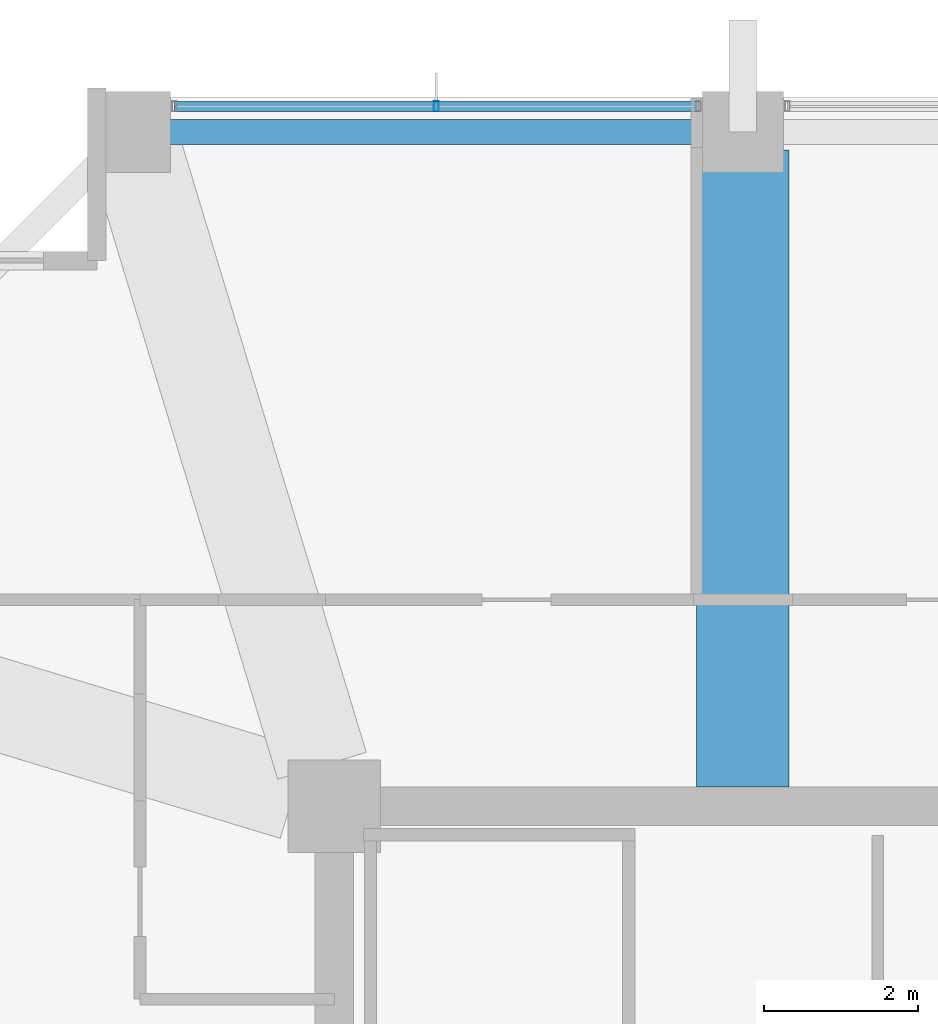
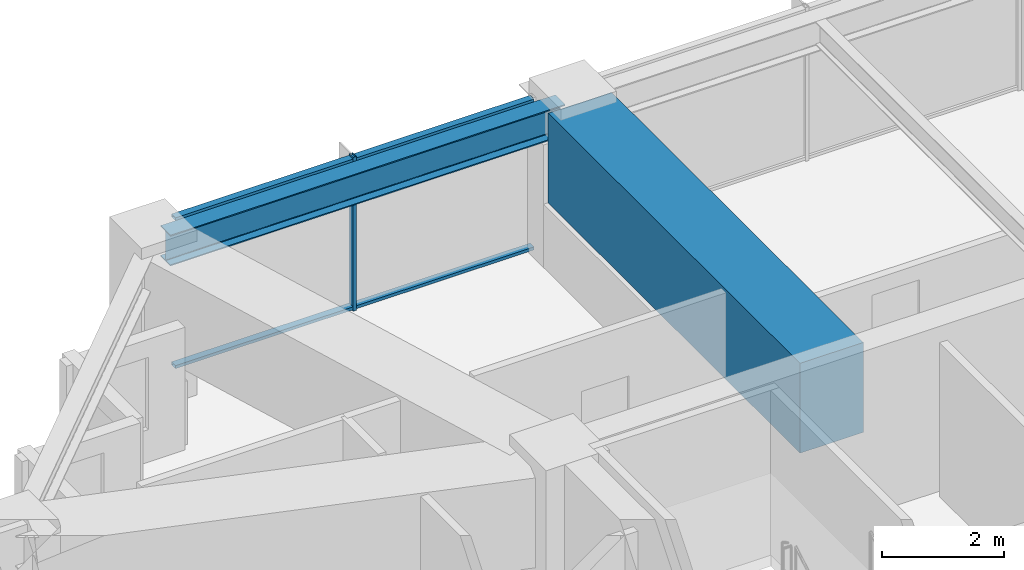
# One storey, part 21 of 36: 3 members, 2 beams, 1 element without a shape of its own.
"""IFC4 building model written with IfcOpenShell, lengths in metres."""

import ifcopenshell
import ifcopenshell.guid

model = None  # the IFC model being written
_history = None  # IfcOwnerHistory: only IFC2X3 demands one
_inside = {}  # id of a spatial element -> (the spatial element, [elements in it])
_under = {}  # id of a project, library or spatial element -> (it, [spatial elements below it])
_declared = {}  # id of a project -> (the project, [libraries it declares])
_typed = {}  # id of a type object -> (the type object, [elements of that type])
_made_of = {}  # id of a material, layer set ... -> (it, [elements and type objects made of it])


def new_model(schema):
    """Start an empty IFC model of exactly this schema.

    Asked for "IFC4X3", IfcOpenShell would pick the latest addendum, in which some entities
    have other attributes; the version numbers below select the first issue.
    IFC2X3 requires an IfcOwnerHistory on every rooted entity: one is made here for all.
    """
    global model, _history
    if schema == "IFC4X3":
        model = ifcopenshell.file(schema_version=(4, 3, 0, 0))
    else:
        model = ifcopenshell.file(schema=schema)
    _inside.clear()
    _under.clear()
    _declared.clear()
    _typed.clear()
    _made_of.clear()
    _history = None
    if model.schema == "IFC2X3":
        org = make("IfcOrganization", Name="unknown")
        user = make(
            "IfcPersonAndOrganization",
            ThePerson=make("IfcPerson", FamilyName="unknown"),
            TheOrganization=org,
        )
        app = make(
            "IfcApplication",
            ApplicationDeveloper=org,
            Version="unknown",
            ApplicationFullName="unknown",
            ApplicationIdentifier="unknown",
        )
        _history = make(
            "IfcOwnerHistory",
            OwningUser=user,
            OwningApplication=app,
            ChangeAction="ADDED",
            CreationDate=0,
        )
    return model


def make(cls, **values):
    """One entity of the class cls with the attributes given. An attribute that is None is left unset."""
    return model.create_entity(
        cls, **{name: value for name, value in values.items() if value is not None}
    )


def rooted(cls, **values):
    """An entity with a GlobalId (a new one), such as an element, a storey or a relation."""
    return make(cls, GlobalId=ifcopenshell.guid.new(), OwnerHistory=_history, **values)


def si_unit(unit_type, name, prefix=None):
    """IfcSIUnit, for example si_unit("LENGTHUNIT", "METRE", prefix="MILLI")."""
    return make("IfcSIUnit", UnitType=unit_type, Prefix=prefix, Name=name)


def assignment(units):
    """IfcUnitAssignment: the units of a project."""
    return None if units is None else make("IfcUnitAssignment", Units=units)


def point(xyz):
    """IfcCartesianPoint."""
    return None if xyz is None else make("IfcCartesianPoint", Coordinates=xyz)


def direction(xyz):
    """IfcDirection."""
    return None if xyz is None else make("IfcDirection", DirectionRatios=xyz)


def frame(location, z_axis=None, x_axis=None):
    """IfcAxis2Placement3D, a coordinate frame: its origin and axes. An axis left out is left unset."""
    return make(
        "IfcAxis2Placement3D",
        Location=point(location),
        Axis=direction(z_axis),
        RefDirection=direction(x_axis),
    )


def frame_2d(location, x_axis=None):
    """IfcAxis2Placement2D, a coordinate frame in the plane: its origin and x axis."""
    return make(
        "IfcAxis2Placement2D", Location=point(location), RefDirection=direction(x_axis)
    )


def origin():
    """The frame at (0, 0, 0) with its axes left unset."""
    return frame((0.0, 0.0, 0.0))


def origin_2d():
    """The frame at (0, 0) in the plane with its x axis left unset."""
    return frame_2d((0.0, 0.0))


def place(relative_to, where):
    """IfcLocalPlacement: puts the frame where relative to a parent placement (None: the world)."""
    return make(
        "IfcLocalPlacement", PlacementRelTo=relative_to, RelativePlacement=where
    )


def context(
    kind, dimensions, precision=None, world=None, true_north=None, identifier=None
):
    """IfcGeometricRepresentationContext, for example the 3D "Model" context."""
    return make(
        "IfcGeometricRepresentationContext",
        ContextIdentifier=identifier,
        ContextType=kind,
        CoordinateSpaceDimension=dimensions,
        Precision=precision,
        WorldCoordinateSystem=world,
        TrueNorth=true_north,
    )


def subcontext(parent, identifier, kind, view, scale=None):
    """IfcGeometricRepresentationSubContext, for example "Body" below "Model"."""
    return make(
        "IfcGeometricRepresentationSubContext",
        ContextIdentifier=identifier,
        ContextType=kind,
        ParentContext=parent,
        TargetScale=scale,
        TargetView=view,
    )


def project(units=None, contexts=None):
    """IfcProject with its units and contexts."""
    return rooted(
        "IfcProject",
        Name="project",
        RepresentationContexts=contexts,
        UnitsInContext=assignment(units),
    )


def spatial(cls, under=None, at=None, **own):
    """A site, building, storey or space (cls), placed at a placement, below another one or the project."""
    s = rooted(cls, ObjectPlacement=at, **own)
    if under is not None:
        _under.setdefault(under.id(), (under, []))[1].append(s)
    return s


def profile(cls, at=None, kind="AREA", **sizes):
    """A parametric profile (cls). Its sizes go by their IFC names, for example OverallWidth=200.0."""
    return make(cls, ProfileType=kind, Position=at, **sizes)


def rectangle(**sizes):
    """IfcRectangleProfileDef."""
    return profile("IfcRectangleProfileDef", **sizes)


def hollow_rectangle(**sizes):
    """IfcRectangleHollowProfileDef."""
    return profile("IfcRectangleHollowProfileDef", **sizes)


def i_section(**sizes):
    """IfcIShapeProfileDef."""
    return profile("IfcIShapeProfileDef", **sizes)


def extrude(swept, where, along, depth):
    """IfcExtrudedAreaSolid: the profile swept, set in the frame where, extruded along a direction by depth."""
    return make(
        "IfcExtrudedAreaSolid",
        SweptArea=swept,
        Position=where,
        ExtrudedDirection=direction(along),
        Depth=depth,
    )


def shape(context_of_items, identifier, shape_type, items):
    """IfcShapeRepresentation: the items that make up one representation, for example the "Body"."""
    return make(
        "IfcShapeRepresentation",
        ContextOfItems=context_of_items,
        RepresentationIdentifier=identifier,
        RepresentationType=shape_type,
        Items=items,
    )


def material(Name=None, Category=None):
    """IfcMaterial."""
    return make("IfcMaterial", Name=Name, Category=Category)


def material_profile(
    of_material, cross_section, Name=None, Category=None, Priority=None
):
    """IfcMaterialProfile: a cross section and its material."""
    return make(
        "IfcMaterialProfile",
        Name=Name,
        Material=of_material,
        Profile=cross_section,
        Priority=Priority,
        Category=Category,
    )


def profile_set(profiles, Name=None, composite=None):
    """IfcMaterialProfileSet."""
    return make(
        "IfcMaterialProfileSet",
        Name=Name,
        MaterialProfiles=profiles,
        CompositeProfile=composite,
    )


def made_of(thing, what):
    """Note that an element or type object is made of a material, layer set ...; save() writes the relation."""
    if what is not None:
        _made_of.setdefault(what.id(), (what, []))[1].append(thing)
    return thing


def type_object(cls, material=None, **own):
    """A type object (cls), such as IfcWallType, which elements share."""
    return made_of(rooted(cls, **own), material)


def element(
    cls,
    number,
    at=None,
    inside=None,
    cuts=None,
    type_object=None,
    material=None,
    context=None,
    identifier="Body",
    shape_type=None,
    held_by="IfcProductDefinitionShape",
    body=None,
    shapes=None,
    **own,
):
    """One element of the class cls, such as IfcWall. Its Tag is "e" and its number.

    at: its placement. inside: the storey or other place that contains it. cuts: it is an
    opening in that element (IfcRelVoidsElement). A single representation is given by context,
    identifier, shape_type and body (its items); several are given by shapes. held_by: the class
    of the entity that holds the representations. save() writes the other relations.
    """
    e = rooted(cls, Tag="e%d" % number, ObjectPlacement=at, **own)
    if body is not None:
        shapes = [shape(context, identifier, shape_type, body)]
    if shapes is not None:
        e.Representation = make(held_by, Representations=shapes)
    if inside is not None:
        _inside.setdefault(inside.id(), (inside, []))[1].append(e)
    if cuts is not None:
        rooted(
            "IfcRelVoidsElement", RelatingBuildingElement=cuts, RelatedOpeningElement=e
        )
    if type_object is not None:
        _typed.setdefault(type_object.id(), (type_object, []))[1].append(e)
    return made_of(e, material)


def aggregate(whole, parts):
    """IfcRelAggregates: a whole, such as a stair, and the parts it consists of."""
    return rooted("IfcRelAggregates", RelatingObject=whole, RelatedObjects=parts)


def save(model, path):
    """Write the relations noted so far, then the file.

    IfcRelAggregates (storeys below a building ...), IfcRelContainedInSpatialStructure (elements
    in a storey), IfcRelDefinesByType, IfcRelAssociatesMaterial and IfcRelDeclares: one each for
    every whole, place, type object, material and project.
    """
    for whole, parts in _under.values():
        aggregate(whole, parts)
    for where, things in _inside.values():
        rooted(
            "IfcRelContainedInSpatialStructure",
            RelatedElements=things,
            RelatingStructure=where,
        )
    for kind, things in _typed.values():
        rooted("IfcRelDefinesByType", RelatedObjects=things, RelatingType=kind)
    for what, things in _made_of.values():
        rooted("IfcRelAssociatesMaterial", RelatedObjects=things, RelatingMaterial=what)
    for by, libraries in _declared.values():
        rooted("IfcRelDeclares", RelatingContext=by, RelatedDefinitions=libraries)
    model.write(path)


model = new_model("IFC4")

# Units and contexts
model_context = context("Model", 3, precision=1e-05, world=origin(), true_north=direction((0.0, 1.0)))
body_context = subcontext(model_context, "Body", "Model", "MODEL_VIEW")
ifc_project = project(units=[si_unit("LENGTHUNIT", "METRE"), si_unit("AREAUNIT", "SQUARE_METRE"), si_unit("VOLUMEUNIT", "CUBIC_METRE"), si_unit("PLANEANGLEUNIT", "RADIAN"), si_unit("MASSUNIT", "GRAM", prefix="KILO")], contexts=[model_context])

# Site, building, storey
site_placement = place(None, origin())
site = spatial("IfcSite", under=ifc_project, at=site_placement, CompositionType="ELEMENT")
building_placement = place(site_placement, origin())
building = spatial("IfcBuilding", under=site, at=building_placement, Name="Kolvaren Belvedere", CompositionType="ELEMENT")
storey_placement = place(building_placement, frame((0.0, 0.0, 108.5)))
storey = spatial("IfcBuildingStorey", under=building, at=storey_placement, Name="L31", CompositionType="ELEMENT", Elevation=108.5)

# Beams
ifc_material_1 = material(Name="Structural steel ASTM A992 Grade 50", Category="steel")
ifc_material_profile_1 = material_profile(ifc_material_1, i_section(OverallWidth=0.324951171875, OverallDepth=0.615966796875, WebThickness=0.013916015625, FlangeThickness=0.021484375, FilletRadius=0.02001953125, at=origin_2d()), Name="W24X117")
ifc_profile_set_1 = profile_set([ifc_material_profile_1], Name="Structural steel ASTM A992 Grade 50")
beam_type_1 = type_object("IfcBeamType", Name="BM-SPAN-W24X117", PredefinedType="SPANDREL", material=ifc_profile_set_1)
beam_1_placement = place(storey_placement, frame((-4.836181640625, 18.64990234375, 2.77197265625), z_axis=(-1.0, 0.0, 0.0), x_axis=(0.0, -1.0, 0.0)))
element("IfcBeam", 1, at=beam_1_placement, inside=storey, type_object=beam_type_1, Name="L31 Perimeter Spandrel N2-N1", PredefinedType="SPANDREL", context=body_context, shape_type="SweptSolid", body=[
    extrude(i_section(OverallWidth=0.324951171875, OverallDepth=0.615966796875, WebThickness=0.013916015625, FlangeThickness=0.021484375, FilletRadius=0.02001953125, at=origin_2d()), origin(), (0.0, 0.0, 1.0), 7.4775390625),
])
ifc_material_2 = material(Name="Concrete C50/60", Category="concrete")
ifc_material_profile_2 = material_profile(ifc_material_2, rectangle(XDim=1.199951171875, YDim=1.800048828125, at=origin_2d()), Name="RC 1200X1800")
ifc_profile_set_2 = profile_set([ifc_material_profile_2], Name="Concrete C50/60")
beam_type_2 = type_object("IfcBeamType", Name="BM-TG-1800", PredefinedType="BEAM", material=ifc_profile_set_2)
beam_2_placement = place(storey_placement, frame((-4.60009765625, 10.14990234375, 2.179931640625), z_axis=(0.0, 1.0, 0.0), x_axis=(-1.0, 0.0, 0.0)))
element("IfcBeam", 2, at=beam_2_placement, inside=storey, type_object=beam_type_2, Name="L31 North Radial Girder M", PredefinedType="BEAM", context=body_context, shape_type="SweptSolid", body=[
    extrude(rectangle(XDim=1.199951171875, YDim=1.800048828125, at=origin_2d()), origin(), (0.0, 0.0, 1.0), 8.263916015625),
])

# Curtain wall, members
ifc_material_3 = material(Name="Anodised pale-metal aluminium AA 6063-T6", Category="aluminium")
curtain_wall_type = type_object("IfcCurtainWallType", Name="CW-Z3-WAIST", PredefinedType="NOTDEFINED", material=ifc_material_3)
curtain_wall_placement = place(storey_placement, origin())
curtain_wall = element("IfcCurtainWall", 3, at=curtain_wall_placement, inside=storey, type_object=curtain_wall_type, Name="L31 Unitised Curtain Wall FCW-L31-N-B1", PredefinedType="NOTDEFINED")
ifc_material_4 = material(Name="Anodised pale-metal aluminium AA 6063-T6", Category="aluminium")
ifc_material_profile_3 = material_profile(ifc_material_4, hollow_rectangle(XDim=0.06494140625, YDim=0.1298828125, WallThickness=0.00390625, at=origin_2d()), Name="ALU-MUL-130X65")
ifc_profile_set_3 = profile_set([ifc_material_profile_3], Name="Anodised pale-metal aluminium AA 6063-T6")
member_type_1 = type_object("IfcMemberType", Name="CW-MUL-130", PredefinedType="MULLION", material=ifc_profile_set_3)
member_1_placement = place(storey_placement, frame((-8.574951171875, 18.97998046875, 0.0), z_axis=(0.0, 0.0, 1.0), x_axis=(1.0, 0.0, 0.0)))
member_1 = element("IfcMember", 4, at=member_1_placement, type_object=member_type_1, Name="FCW-L31-N-B1 Unitised Mullion 2", PredefinedType="MULLION", context=body_context, shape_type="SweptSolid", body=[
    extrude(hollow_rectangle(XDim=0.06494140625, YDim=0.1298828125, WallThickness=0.00390625, at=origin_2d()), origin(), (0.0, 0.0, 1.0), 3.080078125),
])
ifc_material_5 = material(Name="Anodised pale-metal aluminium AA 6063-T6", Category="aluminium")
ifc_material_profile_4 = material_profile(ifc_material_5, hollow_rectangle(XDim=0.06005859375, YDim=0.1298828125, WallThickness=0.00390625, at=origin_2d()), Name="ALU-TRN-130X60")
ifc_profile_set_4 = profile_set([ifc_material_profile_4], Name="Anodised pale-metal aluminium AA 6063-T6")
member_type_2 = type_object("IfcMemberType", Name="CW-TRN-130", PredefinedType="USERDEFINED", material=ifc_profile_set_4)
member_2_placement = place(storey_placement, frame((-11.972412109375, 18.97998046875, 0.06005859375), z_axis=(1.0, 0.0, 0.0), x_axis=(0.0, 0.0, 1.0)))
member_2 = element("IfcMember", 5, at=member_2_placement, type_object=member_type_2, Name="FCW-L31-N-B1 Sill Transom", ObjectType="TRANSOM", PredefinedType="USERDEFINED", context=body_context, shape_type="SweptSolid", body=[
    extrude(hollow_rectangle(XDim=0.06005859375, YDim=0.1298828125, WallThickness=0.00390625, at=origin_2d()), origin(), (0.0, 0.0, 1.0), 6.794921875),
])
member_3_placement = place(storey_placement, frame((-11.972412109375, 18.97998046875, 3.02001953125), z_axis=(1.0, 0.0, 0.0), x_axis=(0.0, 0.0, 1.0)))
member_3 = element("IfcMember", 6, at=member_3_placement, type_object=member_type_2, Name="FCW-L31-N-B1 Head Transom", ObjectType="TRANSOM", PredefinedType="USERDEFINED", context=body_context, shape_type="SweptSolid", body=[
    extrude(hollow_rectangle(XDim=0.06005859375, YDim=0.1298828125, WallThickness=0.00390625, at=origin_2d()), origin(), (0.0, 0.0, 1.0), 6.794921875),
])
aggregate(curtain_wall, [member_1, member_2, member_3])

save(model, "model.ifc")
